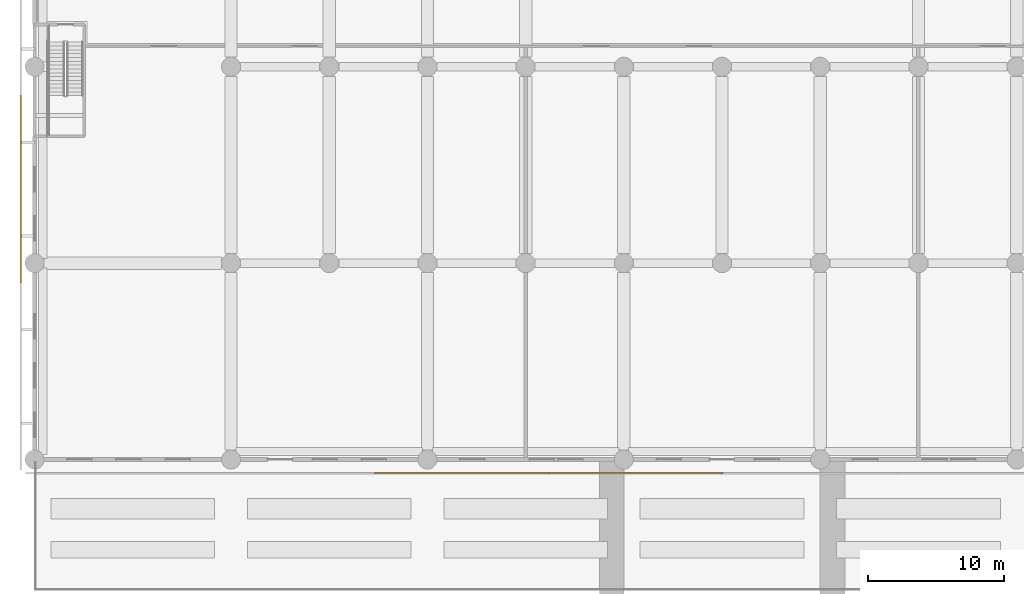
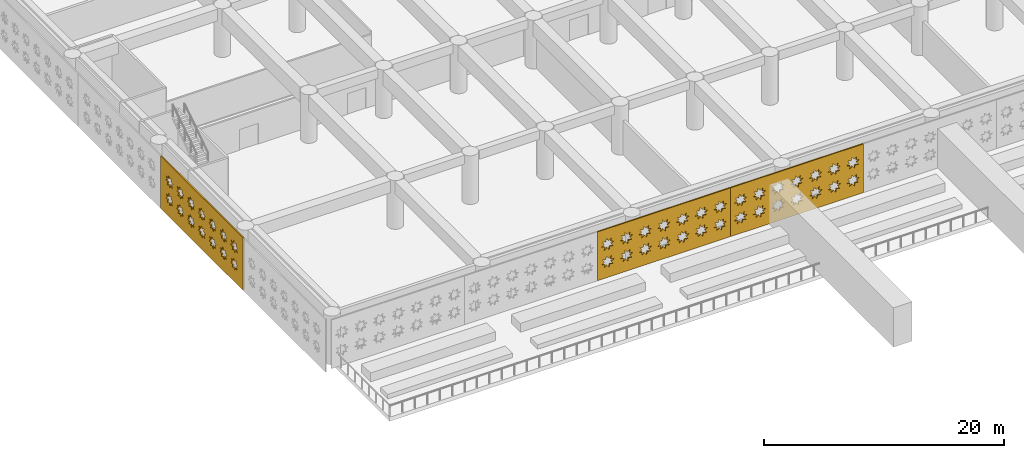
# One storey, part 12 of 24: 3 coverings.
"""IFC4 building model written with IfcOpenShell, lengths in metres."""

from ifc_helpers import new_model, si_unit, direction, frame, origin, place, context, subcontext, project, spatial, polyline, outline, extrude, material, layer, layer_set, type_object, element, save


model = new_model("IFC4")

# Units and contexts
model_context = context("Model", 3, precision=1e-05, world=origin(), true_north=direction((0.0, 1.0)))
body_context = subcontext(model_context, "Body", "Model", "MODEL_VIEW")
ifc_project = project(units=[si_unit("LENGTHUNIT", "METRE"), si_unit("AREAUNIT", "SQUARE_METRE"), si_unit("VOLUMEUNIT", "CUBIC_METRE"), si_unit("PLANEANGLEUNIT", "RADIAN"), si_unit("MASSUNIT", "GRAM", prefix="KILO")], contexts=[model_context])

# Site, building, storey
site_placement = place(None, origin())
site = spatial("IfcSite", under=ifc_project, at=site_placement, CompositionType="ELEMENT")
building_placement = place(site_placement, origin())
building = spatial("IfcBuilding", under=site, at=building_placement, Name="Saffron Iwan Residences", CompositionType="ELEMENT")
storey_placement = place(building_placement, frame((0.0, 0.0, 21.60009765625)))
storey = spatial("IfcBuildingStorey", under=building, at=storey_placement, Name="L04", CompositionType="ELEMENT", Elevation=21.60009765625)

# Coverings
ifc_material = material(Name="Terracotta screen, precast concrete C40/50", Category="masonry")
ifc_layer = layer(ifc_material, 0.1201171875)
ifc_layer_set = layer_set([ifc_layer], Name="Terracotta screen, precast concrete C40/50")
covering_type = type_object("IfcCoveringType", Name="PODIUM SCREEN GIRIH", PredefinedType="CLADDING", material=ifc_layer_set)
covering_1_placement = place(storey_placement, frame((24.905029296875, 18.25, 0.0), z_axis=(0.0, -1.0, 0.0), x_axis=(1.0, 0.0, 0.0)))
element("IfcCovering", 1, at=covering_1_placement, inside=storey, type_object=covering_type, Name="SCREEN girih terracotta L04 F0.2", PredefinedType="CLADDING", context=body_context, shape_type="SweptSolid", body=[
    extrude(outline(polyline([(0.0, 0.0), (12.777587890625, 0.0), (12.777587890625, 4.949951171875), (0.0, 4.949951171875), (0.0, 0.0)]), holes=[polyline([(1.5966796875, 1.696044921875), (1.271484375, 1.763916015625), (1.333251953125, 2.090576171875), (1.05517578125, 1.908447265625), (0.867919921875, 2.18310546875), (0.7998046875, 1.857666015625), (0.47314453125, 1.91943359375), (0.6552734375, 1.641357421875), (0.380615234375, 1.4541015625), (0.7060546875, 1.385986328125), (0.644287109375, 1.0595703125), (0.92236328125, 1.241455078125), (1.109619140625, 0.966796875), (1.177490234375, 1.292236328125), (1.50439453125, 1.23046875), (1.322265625, 1.5087890625), (1.5966796875, 1.696044921875)]), polyline([(1.5966796875, 3.49609375), (1.271484375, 3.56396484375), (1.333251953125, 3.890380859375), (1.05517578125, 3.70849609375), (0.867919921875, 3.983154296875), (0.7998046875, 3.65771484375), (0.47314453125, 3.719482421875), (0.6552734375, 3.44140625), (0.380615234375, 3.25390625), (0.7060546875, 3.18603515625), (0.644287109375, 2.859619140625), (0.92236328125, 3.04150390625), (1.109619140625, 2.766845703125), (1.177490234375, 3.09228515625), (1.50439453125, 3.030517578125), (1.322265625, 3.30859375), (1.5966796875, 3.49609375)]), polyline([(3.396728515625, 1.696044921875), (3.0712890625, 1.763916015625), (3.13330078125, 2.090576171875), (2.85498046875, 1.908447265625), (2.667724609375, 2.18310546875), (2.599853515625, 1.857666015625), (2.273193359375, 1.91943359375), (2.455322265625, 1.641357421875), (2.1806640625, 1.4541015625), (2.506103515625, 1.385986328125), (2.4443359375, 1.0595703125), (2.722412109375, 1.241455078125), (2.90966796875, 0.966796875), (2.9775390625, 1.292236328125), (3.30419921875, 1.23046875), (3.122314453125, 1.5087890625), (3.396728515625, 1.696044921875)]), polyline([(3.396728515625, 3.49609375), (3.0712890625, 3.56396484375), (3.13330078125, 3.890380859375), (2.85498046875, 3.70849609375), (2.667724609375, 3.983154296875), (2.599853515625, 3.65771484375), (2.273193359375, 3.719482421875), (2.455322265625, 3.44140625), (2.1806640625, 3.25390625), (2.506103515625, 3.18603515625), (2.4443359375, 2.859619140625), (2.722412109375, 3.04150390625), (2.90966796875, 2.766845703125), (2.9775390625, 3.09228515625), (3.30419921875, 3.030517578125), (3.122314453125, 3.30859375), (3.396728515625, 3.49609375)]), polyline([(5.19677734375, 1.696044921875), (4.871337890625, 1.763916015625), (4.93310546875, 2.090576171875), (4.655029296875, 1.908447265625), (4.4677734375, 2.18310546875), (4.39990234375, 1.857666015625), (4.0732421875, 1.91943359375), (4.25537109375, 1.641357421875), (3.980712890625, 1.4541015625), (4.30615234375, 1.385986328125), (4.244384765625, 1.0595703125), (4.5224609375, 1.241455078125), (4.709716796875, 0.966796875), (4.777587890625, 1.292236328125), (5.104248046875, 1.23046875), (4.922119140625, 1.5087890625), (5.19677734375, 1.696044921875)]), polyline([(5.19677734375, 3.49609375), (4.871337890625, 3.56396484375), (4.93310546875, 3.890380859375), (4.655029296875, 3.70849609375), (4.4677734375, 3.983154296875), (4.39990234375, 3.65771484375), (4.0732421875, 3.719482421875), (4.25537109375, 3.44140625), (3.980712890625, 3.25390625), (4.30615234375, 3.18603515625), (4.244384765625, 2.859619140625), (4.5224609375, 3.04150390625), (4.709716796875, 2.766845703125), (4.777587890625, 3.09228515625), (5.104248046875, 3.030517578125), (4.922119140625, 3.30859375), (5.19677734375, 3.49609375)]), polyline([(6.996826171875, 1.696044921875), (6.67138671875, 1.763916015625), (6.733154296875, 2.090576171875), (6.455078125, 1.908447265625), (6.267822265625, 2.18310546875), (6.199951171875, 1.857666015625), (5.873291015625, 1.91943359375), (6.055419921875, 1.641357421875), (5.78076171875, 1.4541015625), (6.106201171875, 1.385986328125), (6.044189453125, 1.0595703125), (6.322509765625, 1.241455078125), (6.509765625, 0.966796875), (6.57763671875, 1.292236328125), (6.904296875, 1.23046875), (6.72216796875, 1.5087890625), (6.996826171875, 1.696044921875)]), polyline([(6.996826171875, 3.49609375), (6.67138671875, 3.56396484375), (6.733154296875, 3.890380859375), (6.455078125, 3.70849609375), (6.267822265625, 3.983154296875), (6.199951171875, 3.65771484375), (5.873291015625, 3.719482421875), (6.055419921875, 3.44140625), (5.78076171875, 3.25390625), (6.106201171875, 3.18603515625), (6.044189453125, 2.859619140625), (6.322509765625, 3.04150390625), (6.509765625, 2.766845703125), (6.57763671875, 3.09228515625), (6.904296875, 3.030517578125), (6.72216796875, 3.30859375), (6.996826171875, 3.49609375)]), polyline([(8.796875, 1.696044921875), (8.471435546875, 1.763916015625), (8.533203125, 2.090576171875), (8.255126953125, 1.908447265625), (8.06787109375, 2.18310546875), (8.0, 1.857666015625), (7.673095703125, 1.91943359375), (7.855224609375, 1.641357421875), (7.580810546875, 1.4541015625), (7.906005859375, 1.385986328125), (7.84423828125, 1.0595703125), (8.122314453125, 1.241455078125), (8.309814453125, 0.966796875), (8.377685546875, 1.292236328125), (8.704345703125, 1.23046875), (8.522216796875, 1.5087890625), (8.796875, 1.696044921875)]), polyline([(8.796875, 3.49609375), (8.471435546875, 3.56396484375), (8.533203125, 3.890380859375), (8.255126953125, 3.70849609375), (8.06787109375, 3.983154296875), (8.0, 3.65771484375), (7.673095703125, 3.719482421875), (7.855224609375, 3.44140625), (7.580810546875, 3.25390625), (7.906005859375, 3.18603515625), (7.84423828125, 2.859619140625), (8.122314453125, 3.04150390625), (8.309814453125, 2.766845703125), (8.377685546875, 3.09228515625), (8.704345703125, 3.030517578125), (8.522216796875, 3.30859375), (8.796875, 3.49609375)]), polyline([(10.5966796875, 1.696044921875), (10.271484375, 1.763916015625), (10.333251953125, 2.090576171875), (10.05517578125, 1.908447265625), (9.867919921875, 2.18310546875), (9.7998046875, 1.857666015625), (9.47314453125, 1.91943359375), (9.6552734375, 1.641357421875), (9.380615234375, 1.4541015625), (9.7060546875, 1.385986328125), (9.644287109375, 1.0595703125), (9.92236328125, 1.241455078125), (10.109619140625, 0.966796875), (10.177490234375, 1.292236328125), (10.50439453125, 1.23046875), (10.322265625, 1.5087890625), (10.5966796875, 1.696044921875)]), polyline([(10.5966796875, 3.49609375), (10.271484375, 3.56396484375), (10.333251953125, 3.890380859375), (10.05517578125, 3.70849609375), (9.867919921875, 3.983154296875), (9.7998046875, 3.65771484375), (9.47314453125, 3.719482421875), (9.6552734375, 3.44140625), (9.380615234375, 3.25390625), (9.7060546875, 3.18603515625), (9.644287109375, 2.859619140625), (9.92236328125, 3.04150390625), (10.109619140625, 2.766845703125), (10.177490234375, 3.09228515625), (10.50439453125, 3.030517578125), (10.322265625, 3.30859375), (10.5966796875, 3.49609375)]), polyline([(12.396728515625, 1.696044921875), (12.0712890625, 1.763916015625), (12.13330078125, 2.090576171875), (11.85498046875, 1.908447265625), (11.667724609375, 2.18310546875), (11.599853515625, 1.857666015625), (11.273193359375, 1.91943359375), (11.455322265625, 1.641357421875), (11.1806640625, 1.4541015625), (11.506103515625, 1.385986328125), (11.4443359375, 1.0595703125), (11.722412109375, 1.241455078125), (11.90966796875, 0.966796875), (11.9775390625, 1.292236328125), (12.30419921875, 1.23046875), (12.122314453125, 1.5087890625), (12.396728515625, 1.696044921875)]), polyline([(12.396728515625, 3.49609375), (12.0712890625, 3.56396484375), (12.13330078125, 3.890380859375), (11.85498046875, 3.70849609375), (11.667724609375, 3.983154296875), (11.599853515625, 3.65771484375), (11.273193359375, 3.719482421875), (11.455322265625, 3.44140625), (11.1806640625, 3.25390625), (11.506103515625, 3.18603515625), (11.4443359375, 2.859619140625), (11.722412109375, 3.04150390625), (11.90966796875, 2.766845703125), (11.9775390625, 3.09228515625), (12.30419921875, 3.030517578125), (12.122314453125, 3.30859375), (12.396728515625, 3.49609375)])]), origin(), (0.0, 0.0, 1.0), 0.1201171875),
])
covering_2_placement = place(storey_placement, frame((37.6826171875, 18.25, 0.0), z_axis=(0.0, -1.0, 0.0), x_axis=(1.0, 0.0, 0.0)))
element("IfcCovering", 2, at=covering_2_placement, inside=storey, type_object=covering_type, Name="SCREEN girih terracotta L04 F0.3", PredefinedType="CLADDING", context=body_context, shape_type="SweptSolid", body=[
    extrude(outline(polyline([(0.0, 0.0), (12.777587890625, 0.0), (12.777587890625, 4.949951171875), (0.0, 4.949951171875), (0.0, 0.0)]), holes=[polyline([(1.5966796875, 1.696044921875), (1.271484375, 1.763916015625), (1.333251953125, 2.090576171875), (1.05517578125, 1.908447265625), (0.867919921875, 2.18310546875), (0.7998046875, 1.857666015625), (0.47314453125, 1.91943359375), (0.6552734375, 1.641357421875), (0.380615234375, 1.4541015625), (0.7060546875, 1.385986328125), (0.644287109375, 1.0595703125), (0.92236328125, 1.241455078125), (1.109619140625, 0.966796875), (1.177490234375, 1.292236328125), (1.50439453125, 1.23046875), (1.322265625, 1.5087890625), (1.5966796875, 1.696044921875)]), polyline([(1.5966796875, 3.49609375), (1.271484375, 3.56396484375), (1.333251953125, 3.890380859375), (1.05517578125, 3.70849609375), (0.867919921875, 3.983154296875), (0.7998046875, 3.65771484375), (0.47314453125, 3.719482421875), (0.6552734375, 3.44140625), (0.380615234375, 3.25390625), (0.7060546875, 3.18603515625), (0.644287109375, 2.859619140625), (0.92236328125, 3.04150390625), (1.109619140625, 2.766845703125), (1.177490234375, 3.09228515625), (1.50439453125, 3.030517578125), (1.322265625, 3.30859375), (1.5966796875, 3.49609375)]), polyline([(3.396728515625, 1.696044921875), (3.0712890625, 1.763916015625), (3.13330078125, 2.090576171875), (2.85498046875, 1.908447265625), (2.667724609375, 2.18310546875), (2.599853515625, 1.857666015625), (2.273193359375, 1.91943359375), (2.455322265625, 1.641357421875), (2.1806640625, 1.4541015625), (2.506103515625, 1.385986328125), (2.4443359375, 1.0595703125), (2.722412109375, 1.241455078125), (2.90966796875, 0.966796875), (2.9775390625, 1.292236328125), (3.30419921875, 1.23046875), (3.122314453125, 1.5087890625), (3.396728515625, 1.696044921875)]), polyline([(3.396728515625, 3.49609375), (3.0712890625, 3.56396484375), (3.13330078125, 3.890380859375), (2.85498046875, 3.70849609375), (2.667724609375, 3.983154296875), (2.599853515625, 3.65771484375), (2.273193359375, 3.719482421875), (2.455322265625, 3.44140625), (2.1806640625, 3.25390625), (2.506103515625, 3.18603515625), (2.4443359375, 2.859619140625), (2.722412109375, 3.04150390625), (2.90966796875, 2.766845703125), (2.9775390625, 3.09228515625), (3.30419921875, 3.030517578125), (3.122314453125, 3.30859375), (3.396728515625, 3.49609375)]), polyline([(5.19677734375, 1.696044921875), (4.871337890625, 1.763916015625), (4.93310546875, 2.090576171875), (4.655029296875, 1.908447265625), (4.4677734375, 2.18310546875), (4.39990234375, 1.857666015625), (4.0732421875, 1.91943359375), (4.25537109375, 1.641357421875), (3.980712890625, 1.4541015625), (4.30615234375, 1.385986328125), (4.244384765625, 1.0595703125), (4.5224609375, 1.241455078125), (4.709716796875, 0.966796875), (4.777587890625, 1.292236328125), (5.104248046875, 1.23046875), (4.922119140625, 1.5087890625), (5.19677734375, 1.696044921875)]), polyline([(5.19677734375, 3.49609375), (4.871337890625, 3.56396484375), (4.93310546875, 3.890380859375), (4.655029296875, 3.70849609375), (4.4677734375, 3.983154296875), (4.39990234375, 3.65771484375), (4.0732421875, 3.719482421875), (4.25537109375, 3.44140625), (3.980712890625, 3.25390625), (4.30615234375, 3.18603515625), (4.244384765625, 2.859619140625), (4.5224609375, 3.04150390625), (4.709716796875, 2.766845703125), (4.777587890625, 3.09228515625), (5.104248046875, 3.030517578125), (4.922119140625, 3.30859375), (5.19677734375, 3.49609375)]), polyline([(6.996826171875, 1.696044921875), (6.67138671875, 1.763916015625), (6.733154296875, 2.090576171875), (6.455078125, 1.908447265625), (6.267822265625, 2.18310546875), (6.199951171875, 1.857666015625), (5.873291015625, 1.91943359375), (6.055419921875, 1.641357421875), (5.78076171875, 1.4541015625), (6.106201171875, 1.385986328125), (6.044189453125, 1.0595703125), (6.322509765625, 1.241455078125), (6.509765625, 0.966796875), (6.57763671875, 1.292236328125), (6.904296875, 1.23046875), (6.72216796875, 1.5087890625), (6.996826171875, 1.696044921875)]), polyline([(6.996826171875, 3.49609375), (6.67138671875, 3.56396484375), (6.733154296875, 3.890380859375), (6.455078125, 3.70849609375), (6.267822265625, 3.983154296875), (6.199951171875, 3.65771484375), (5.873291015625, 3.719482421875), (6.055419921875, 3.44140625), (5.78076171875, 3.25390625), (6.106201171875, 3.18603515625), (6.044189453125, 2.859619140625), (6.322509765625, 3.04150390625), (6.509765625, 2.766845703125), (6.57763671875, 3.09228515625), (6.904296875, 3.030517578125), (6.72216796875, 3.30859375), (6.996826171875, 3.49609375)]), polyline([(8.796875, 1.696044921875), (8.471435546875, 1.763916015625), (8.533203125, 2.090576171875), (8.255126953125, 1.908447265625), (8.06787109375, 2.18310546875), (8.0, 1.857666015625), (7.673095703125, 1.91943359375), (7.855224609375, 1.641357421875), (7.580810546875, 1.4541015625), (7.906005859375, 1.385986328125), (7.84423828125, 1.0595703125), (8.122314453125, 1.241455078125), (8.309814453125, 0.966796875), (8.377685546875, 1.292236328125), (8.704345703125, 1.23046875), (8.522216796875, 1.5087890625), (8.796875, 1.696044921875)]), polyline([(8.796875, 3.49609375), (8.471435546875, 3.56396484375), (8.533203125, 3.890380859375), (8.255126953125, 3.70849609375), (8.06787109375, 3.983154296875), (8.0, 3.65771484375), (7.673095703125, 3.719482421875), (7.855224609375, 3.44140625), (7.580810546875, 3.25390625), (7.906005859375, 3.18603515625), (7.84423828125, 2.859619140625), (8.122314453125, 3.04150390625), (8.309814453125, 2.766845703125), (8.377685546875, 3.09228515625), (8.704345703125, 3.030517578125), (8.522216796875, 3.30859375), (8.796875, 3.49609375)]), polyline([(10.5966796875, 1.696044921875), (10.271484375, 1.763916015625), (10.333251953125, 2.090576171875), (10.05517578125, 1.908447265625), (9.867919921875, 2.18310546875), (9.7998046875, 1.857666015625), (9.47314453125, 1.91943359375), (9.6552734375, 1.641357421875), (9.380615234375, 1.4541015625), (9.7060546875, 1.385986328125), (9.644287109375, 1.0595703125), (9.92236328125, 1.241455078125), (10.109619140625, 0.966796875), (10.177490234375, 1.292236328125), (10.50439453125, 1.23046875), (10.322265625, 1.5087890625), (10.5966796875, 1.696044921875)]), polyline([(10.5966796875, 3.49609375), (10.271484375, 3.56396484375), (10.333251953125, 3.890380859375), (10.05517578125, 3.70849609375), (9.867919921875, 3.983154296875), (9.7998046875, 3.65771484375), (9.47314453125, 3.719482421875), (9.6552734375, 3.44140625), (9.380615234375, 3.25390625), (9.7060546875, 3.18603515625), (9.644287109375, 2.859619140625), (9.92236328125, 3.04150390625), (10.109619140625, 2.766845703125), (10.177490234375, 3.09228515625), (10.50439453125, 3.030517578125), (10.322265625, 3.30859375), (10.5966796875, 3.49609375)]), polyline([(12.396728515625, 1.696044921875), (12.0712890625, 1.763916015625), (12.13330078125, 2.090576171875), (11.85498046875, 1.908447265625), (11.667724609375, 2.18310546875), (11.599853515625, 1.857666015625), (11.273193359375, 1.91943359375), (11.455322265625, 1.641357421875), (11.1806640625, 1.4541015625), (11.506103515625, 1.385986328125), (11.4443359375, 1.0595703125), (11.722412109375, 1.241455078125), (11.90966796875, 0.966796875), (11.9775390625, 1.292236328125), (12.30419921875, 1.23046875), (12.122314453125, 1.5087890625), (12.396728515625, 1.696044921875)]), polyline([(12.396728515625, 3.49609375), (12.0712890625, 3.56396484375), (12.13330078125, 3.890380859375), (11.85498046875, 3.70849609375), (11.667724609375, 3.983154296875), (11.599853515625, 3.65771484375), (11.273193359375, 3.719482421875), (11.455322265625, 3.44140625), (11.1806640625, 3.25390625), (11.506103515625, 3.18603515625), (11.4443359375, 2.859619140625), (11.722412109375, 3.04150390625), (11.90966796875, 2.766845703125), (11.9775390625, 3.09228515625), (12.30419921875, 3.030517578125), (12.122314453125, 3.30859375), (12.396728515625, 3.49609375)])]), origin(), (0.0, 0.0, 1.0), 0.1201171875),
])
covering_3_placement = place(storey_placement, frame((-0.949951171875, 45.8779296875, -0.400146484375), z_axis=(-1.0, 0.0, 0.0), x_axis=(0.0, -1.0, 0.0)))
element("IfcCovering", 3, at=covering_3_placement, inside=storey, type_object=covering_type, Name="SCREEN girih terracotta L04 F3.3", PredefinedType="CLADDING", context=body_context, shape_type="SweptSolid", body=[
    extrude(outline(polyline([(0.0, 0.0), (13.72412109375, 0.0), (13.72412109375, 5.35009765625), (0.0, 5.35009765625), (0.0, 0.0)]), holes=[polyline([(2.070068359375, 1.89599609375), (1.74462890625, 1.9638671875), (1.806396484375, 2.29052734375), (1.5283203125, 2.1083984375), (1.341064453125, 2.383056640625), (1.273193359375, 2.0576171875), (0.946533203125, 2.119384765625), (1.12841796875, 1.84130859375), (0.85400390625, 1.654052734375), (1.17919921875, 1.586181640625), (1.117431640625, 1.259521484375), (1.395751953125, 1.44140625), (1.5830078125, 1.1669921875), (1.65087890625, 1.4921875), (1.9775390625, 1.430419921875), (1.79541015625, 1.708740234375), (2.070068359375, 1.89599609375)]), polyline([(2.070068359375, 3.696044921875), (1.74462890625, 3.763916015625), (1.806396484375, 4.090576171875), (1.5283203125, 3.908447265625), (1.341064453125, 4.18310546875), (1.273193359375, 3.857666015625), (0.946533203125, 3.91943359375), (1.12841796875, 3.641357421875), (0.85400390625, 3.4541015625), (1.17919921875, 3.385986328125), (1.117431640625, 3.0595703125), (1.395751953125, 3.241455078125), (1.5830078125, 2.966796875), (1.65087890625, 3.292236328125), (1.9775390625, 3.23046875), (1.79541015625, 3.5087890625), (2.070068359375, 3.696044921875)]), polyline([(3.8701171875, 1.89599609375), (3.544677734375, 1.9638671875), (3.6064453125, 2.29052734375), (3.328369140625, 2.1083984375), (3.14111328125, 2.383056640625), (3.072998046875, 2.0576171875), (2.74658203125, 2.119384765625), (2.928466796875, 1.84130859375), (2.65380859375, 1.654052734375), (2.979248046875, 1.586181640625), (2.91748046875, 1.259521484375), (3.19580078125, 1.44140625), (3.383056640625, 1.1669921875), (3.450927734375, 1.4921875), (3.777587890625, 1.430419921875), (3.595458984375, 1.708740234375), (3.8701171875, 1.89599609375)]), polyline([(3.8701171875, 3.696044921875), (3.544677734375, 3.763916015625), (3.6064453125, 4.090576171875), (3.328369140625, 3.908447265625), (3.14111328125, 4.18310546875), (3.072998046875, 3.857666015625), (2.74658203125, 3.91943359375), (2.928466796875, 3.641357421875), (2.65380859375, 3.4541015625), (2.979248046875, 3.385986328125), (2.91748046875, 3.0595703125), (3.19580078125, 3.241455078125), (3.383056640625, 2.966796875), (3.450927734375, 3.292236328125), (3.777587890625, 3.23046875), (3.595458984375, 3.5087890625), (3.8701171875, 3.696044921875)]), polyline([(5.670166015625, 1.89599609375), (5.3447265625, 1.9638671875), (5.406494140625, 2.29052734375), (5.12841796875, 2.1083984375), (4.94091796875, 2.383056640625), (4.873046875, 2.0576171875), (4.54638671875, 2.119384765625), (4.728515625, 1.84130859375), (4.453857421875, 1.654052734375), (4.779296875, 1.586181640625), (4.717529296875, 1.259521484375), (4.99560546875, 1.44140625), (5.18310546875, 1.1669921875), (5.2509765625, 1.4921875), (5.577392578125, 1.430419921875), (5.3955078125, 1.708740234375), (5.670166015625, 1.89599609375)]), polyline([(5.670166015625, 3.696044921875), (5.3447265625, 3.763916015625), (5.406494140625, 4.090576171875), (5.12841796875, 3.908447265625), (4.94091796875, 4.18310546875), (4.873046875, 3.857666015625), (4.54638671875, 3.91943359375), (4.728515625, 3.641357421875), (4.453857421875, 3.4541015625), (4.779296875, 3.385986328125), (4.717529296875, 3.0595703125), (4.99560546875, 3.241455078125), (5.18310546875, 2.966796875), (5.2509765625, 3.292236328125), (5.577392578125, 3.23046875), (5.3955078125, 3.5087890625), (5.670166015625, 3.696044921875)]), polyline([(7.47021484375, 1.89599609375), (7.144775390625, 1.9638671875), (7.20654296875, 2.29052734375), (6.92822265625, 2.1083984375), (6.740966796875, 2.383056640625), (6.673095703125, 2.0576171875), (6.346435546875, 2.119384765625), (6.528564453125, 1.84130859375), (6.25390625, 1.654052734375), (6.579345703125, 1.586181640625), (6.517578125, 1.259521484375), (6.795654296875, 1.44140625), (6.98291015625, 1.1669921875), (7.05078125, 1.4921875), (7.37744140625, 1.430419921875), (7.195556640625, 1.708740234375), (7.47021484375, 1.89599609375)]), polyline([(7.47021484375, 3.696044921875), (7.144775390625, 3.763916015625), (7.20654296875, 4.090576171875), (6.92822265625, 3.908447265625), (6.740966796875, 4.18310546875), (6.673095703125, 3.857666015625), (6.346435546875, 3.91943359375), (6.528564453125, 3.641357421875), (6.25390625, 3.4541015625), (6.579345703125, 3.385986328125), (6.517578125, 3.0595703125), (6.795654296875, 3.241455078125), (6.98291015625, 2.966796875), (7.05078125, 3.292236328125), (7.37744140625, 3.23046875), (7.195556640625, 3.5087890625), (7.47021484375, 3.696044921875)]), polyline([(9.27001953125, 1.89599609375), (8.944580078125, 1.9638671875), (9.006591796875, 2.29052734375), (8.728271484375, 2.1083984375), (8.541015625, 2.383056640625), (8.47314453125, 2.0576171875), (8.146484375, 2.119384765625), (8.32861328125, 1.84130859375), (8.053955078125, 1.654052734375), (8.37939453125, 1.586181640625), (8.3173828125, 1.259521484375), (8.595703125, 1.44140625), (8.782958984375, 1.1669921875), (8.850830078125, 1.4921875), (9.177490234375, 1.430419921875), (8.99560546875, 1.708740234375), (9.27001953125, 1.89599609375)]), polyline([(9.27001953125, 3.696044921875), (8.944580078125, 3.763916015625), (9.006591796875, 4.090576171875), (8.728271484375, 3.908447265625), (8.541015625, 4.18310546875), (8.47314453125, 3.857666015625), (8.146484375, 3.91943359375), (8.32861328125, 3.641357421875), (8.053955078125, 3.4541015625), (8.37939453125, 3.385986328125), (8.3173828125, 3.0595703125), (8.595703125, 3.241455078125), (8.782958984375, 2.966796875), (8.850830078125, 3.292236328125), (9.177490234375, 3.23046875), (8.99560546875, 3.5087890625), (9.27001953125, 3.696044921875)]), polyline([(11.070068359375, 1.89599609375), (10.74462890625, 1.9638671875), (10.806396484375, 2.29052734375), (10.5283203125, 2.1083984375), (10.341064453125, 2.383056640625), (10.273193359375, 2.0576171875), (9.946533203125, 2.119384765625), (10.12841796875, 1.84130859375), (9.85400390625, 1.654052734375), (10.17919921875, 1.586181640625), (10.117431640625, 1.259521484375), (10.395751953125, 1.44140625), (10.5830078125, 1.1669921875), (10.65087890625, 1.4921875), (10.9775390625, 1.430419921875), (10.79541015625, 1.708740234375), (11.070068359375, 1.89599609375)]), polyline([(11.070068359375, 3.696044921875), (10.74462890625, 3.763916015625), (10.806396484375, 4.090576171875), (10.5283203125, 3.908447265625), (10.341064453125, 4.18310546875), (10.273193359375, 3.857666015625), (9.946533203125, 3.91943359375), (10.12841796875, 3.641357421875), (9.85400390625, 3.4541015625), (10.17919921875, 3.385986328125), (10.117431640625, 3.0595703125), (10.395751953125, 3.241455078125), (10.5830078125, 2.966796875), (10.65087890625, 3.292236328125), (10.9775390625, 3.23046875), (10.79541015625, 3.5087890625), (11.070068359375, 3.696044921875)]), polyline([(12.8701171875, 1.89599609375), (12.544677734375, 1.9638671875), (12.6064453125, 2.29052734375), (12.328369140625, 2.1083984375), (12.14111328125, 2.383056640625), (12.072998046875, 2.0576171875), (11.74658203125, 2.119384765625), (11.928466796875, 1.84130859375), (11.65380859375, 1.654052734375), (11.979248046875, 1.586181640625), (11.91748046875, 1.259521484375), (12.19580078125, 1.44140625), (12.383056640625, 1.1669921875), (12.450927734375, 1.4921875), (12.777587890625, 1.430419921875), (12.595458984375, 1.708740234375), (12.8701171875, 1.89599609375)]), polyline([(12.8701171875, 3.696044921875), (12.544677734375, 3.763916015625), (12.6064453125, 4.090576171875), (12.328369140625, 3.908447265625), (12.14111328125, 4.18310546875), (12.072998046875, 3.857666015625), (11.74658203125, 3.91943359375), (11.928466796875, 3.641357421875), (11.65380859375, 3.4541015625), (11.979248046875, 3.385986328125), (11.91748046875, 3.0595703125), (12.19580078125, 3.241455078125), (12.383056640625, 2.966796875), (12.450927734375, 3.292236328125), (12.777587890625, 3.23046875), (12.595458984375, 3.5087890625), (12.8701171875, 3.696044921875)])]), origin(), (0.0, 0.0, 1.0), 0.1201171875),
])

save(model, "model.ifc")
